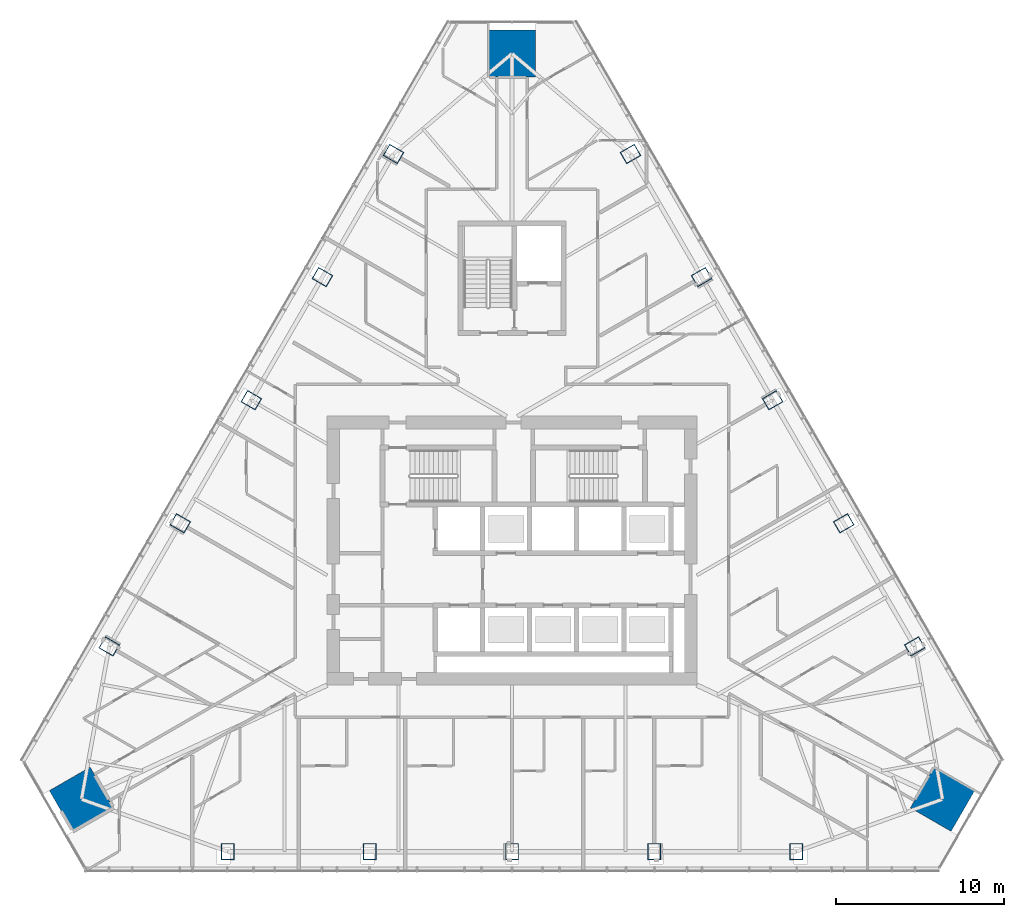
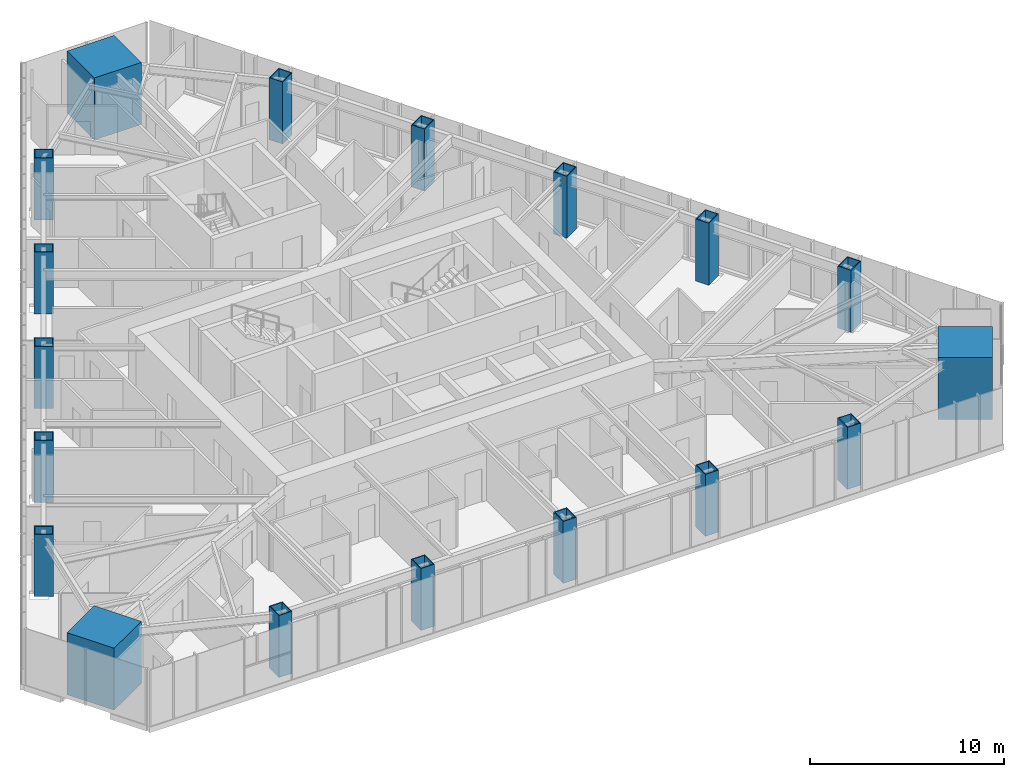
# One storey, part 1 of 19: 18 columns.
"""IFC4 building model written with IfcOpenShell, lengths in metres."""

from ifc_helpers import new_model, si_unit, direction, frame, origin, origin_2d, place, context, subcontext, project, spatial, rectangle, hollow_rectangle, extrude, material, material_profile, profile_set, type_object, element, save


model = new_model("IFC4")

# Units and contexts
model_context = context("Model", 3, precision=1e-05, world=origin(), true_north=direction((0.0, 1.0)))
body_context = subcontext(model_context, "Body", "Model", "MODEL_VIEW")
ifc_project = project(units=[si_unit("LENGTHUNIT", "METRE"), si_unit("AREAUNIT", "SQUARE_METRE"), si_unit("VOLUMEUNIT", "CUBIC_METRE"), si_unit("PLANEANGLEUNIT", "RADIAN"), si_unit("MASSUNIT", "GRAM", prefix="KILO")], contexts=[model_context])

# Site, building, storey
site_placement = place(None, origin())
site = spatial("IfcSite", under=ifc_project, at=site_placement, CompositionType="ELEMENT")
building_placement = place(site_placement, origin())
building = spatial("IfcBuilding", under=site, at=building_placement, Name="Firuza Gate Tower and Library", CompositionType="ELEMENT")
storey_placement = place(building_placement, frame((0.0, 0.0, 210.39990234375)))
storey = spatial("IfcBuildingStorey", under=building, at=storey_placement, Name="L49", CompositionType="ELEMENT", Elevation=210.39990234375)

# Columns
ifc_material_1 = material(Name="Steel S355", Category="steel")
ifc_material_profile_1 = material_profile(ifc_material_1, hollow_rectangle(XDim=0.800048828125, YDim=1.0, WallThickness=0.050048828125, at=origin_2d()))
ifc_profile_set_1 = profile_set([ifc_material_profile_1], Name="Steel S355")
column_type_1 = type_object("IfcColumnType", Name="BU1000x800x50 Composite box column", PredefinedType="COLUMN", material=ifc_profile_set_1)
for number, where, z_axis, x_axis, name in (
    (1, (58.088623046875, 57.097412109375, -0.000244140625), (0.0, 0.0, 1.0), (1.0, 0.0, 0.0), "Column S1 L49"),
    (2, (66.54443359375, 57.097412109375, -0.000244140625), (0.0, 0.0, 1.0), (1.0, 0.0, 0.0), "Column S2 L49"),
    (3, (75.0, 57.097412109375, -0.000244140625), (0.0, 0.0, 1.0), (1.0, 0.0, 0.0), "Column S3 L49"),
    (4, (83.45556640625, 57.097412109375, -0.000244140625), (0.0, 0.0, 1.0), (1.0, 0.0, 0.0), "Column S4 L49"),
    (5, (91.911376953125, 57.097412109375, -0.000244140625), (0.0, 0.0, 1.0), (1.0, 0.0, 0.0), "Column S5 L49"),
    (6, (98.959716796875, 69.3056640625, -0.000244140625), (0.0, 0.0, 1.0), (-0.5, 0.866025403784, 0.0), "Column E1 L49"),
    (7, (94.73193359375, 76.62841796875, -0.000244140625), (0.0, 0.0, 1.0), (-0.5, 0.866025403784, 0.0), "Column E2 L49"),
    (8, (90.504150390625, 83.951171875, -0.000244140625), (0.0, 0.0, 1.0), (-0.5, 0.866025403784, 0.0), "Column E3 L49"),
    (9, (86.276123046875, 91.274169921875, -0.000244140625), (0.0, 0.0, 1.0), (-0.5, 0.866025403784, 0.0), "Column E4 L49"),
    (10, (82.04833984375, 98.596923828125, -0.000244140625), (0.0, 0.0, 1.0), (-0.5, 0.866025403784, 0.0), "Column E5 L49"),
    (11, (67.95166015625, 98.596923828125, -0.000244140625), (0.0, 0.0, 1.0), (-0.5, -0.866025403784, 0.0), "Column W1 L49"),
    (12, (63.723876953125, 91.274169921875, -0.000244140625), (0.0, 0.0, 1.0), (-0.5, -0.866025403784, 0.0), "Column W2 L49"),
    (13, (59.495849609375, 83.951171875, -0.000244140625), (0.0, 0.0, 1.0), (-0.5, -0.866025403784, 0.0), "Column W3 L49"),
    (14, (55.26806640625, 76.62841796875, -0.000244140625), (0.0, 0.0, 1.0), (-0.5, -0.866025403784, 0.0), "Column W4 L49"),
    (15, (51.040283203125, 69.3056640625, -0.000244140625), (0.0, 0.0, 1.0), (-0.5, -0.866025403784, 0.0), "Column W5 L49"),
):
    element("IfcColumn", number, at=place(storey_placement, frame(where, z_axis=z_axis, x_axis=x_axis)), inside=storey, type_object=column_type_1, Name=name, PredefinedType="COLUMN", context=body_context, shape_type="SweptSolid", body=[
        extrude(hollow_rectangle(XDim=0.800048828125, YDim=1.0, WallThickness=0.050048828125, at=origin_2d()), origin(), (0.0, 0.0, 1.0), 3.900390625),
    ])
ifc_material_2 = material(Name="Concrete C80/95", Category="concrete")
ifc_material_profile_2 = material_profile(ifc_material_2, rectangle(XDim=2.800048828125, YDim=2.800048828125, at=origin_2d()))
ifc_profile_set_2 = profile_set([ifc_material_profile_2], Name="Concrete C80/95")
column_type_2 = type_object("IfcColumnType", Name="Mega column 2800x2800 C80/95", PredefinedType="COLUMN", material=ifc_profile_set_2)
for number, where, z_axis, x_axis, name in (
    (16, (100.608154296875, 60.215087890625, 0.0), (0.0, 0.0, 1.0), (0.5, 0.866025403784, 0.0), "Mega column SE L49"),
    (17, (75.0, 104.56982421875, 0.0), (0.0, 0.0, 1.0), (-1.0, 0.0, 0.0), "Mega column N L49"),
    (18, (49.391845703125, 60.215087890625, 0.0), (0.0, 0.0, 1.0), (0.5, -0.866025403784, 0.0), "Mega column SW L49"),
):
    element("IfcColumn", number, at=place(storey_placement, frame(where, z_axis=z_axis, x_axis=x_axis)), inside=storey, type_object=column_type_2, Name=name, PredefinedType="COLUMN", context=body_context, shape_type="SweptSolid", body=[
        extrude(rectangle(XDim=2.800048828125, YDim=2.800048828125, at=origin_2d()), origin(), (0.0, 0.0, 1.0), 3.900146484375),
    ])

save(model, "model.ifc")
